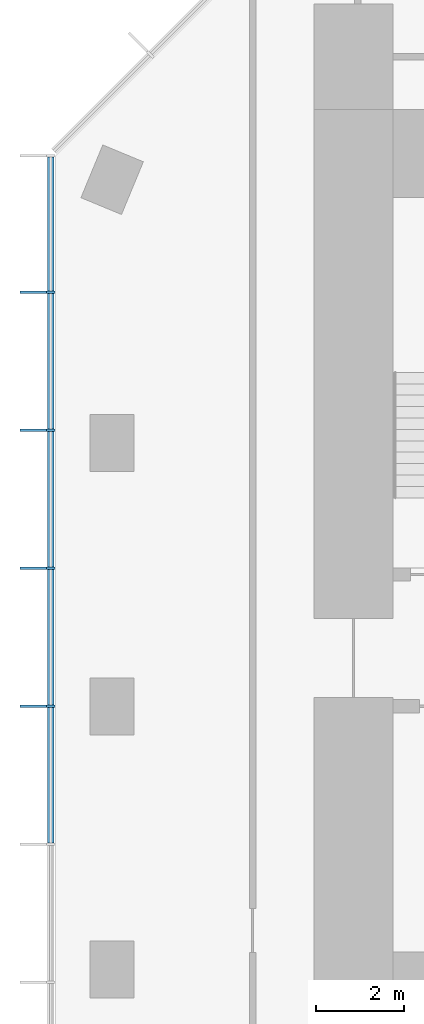
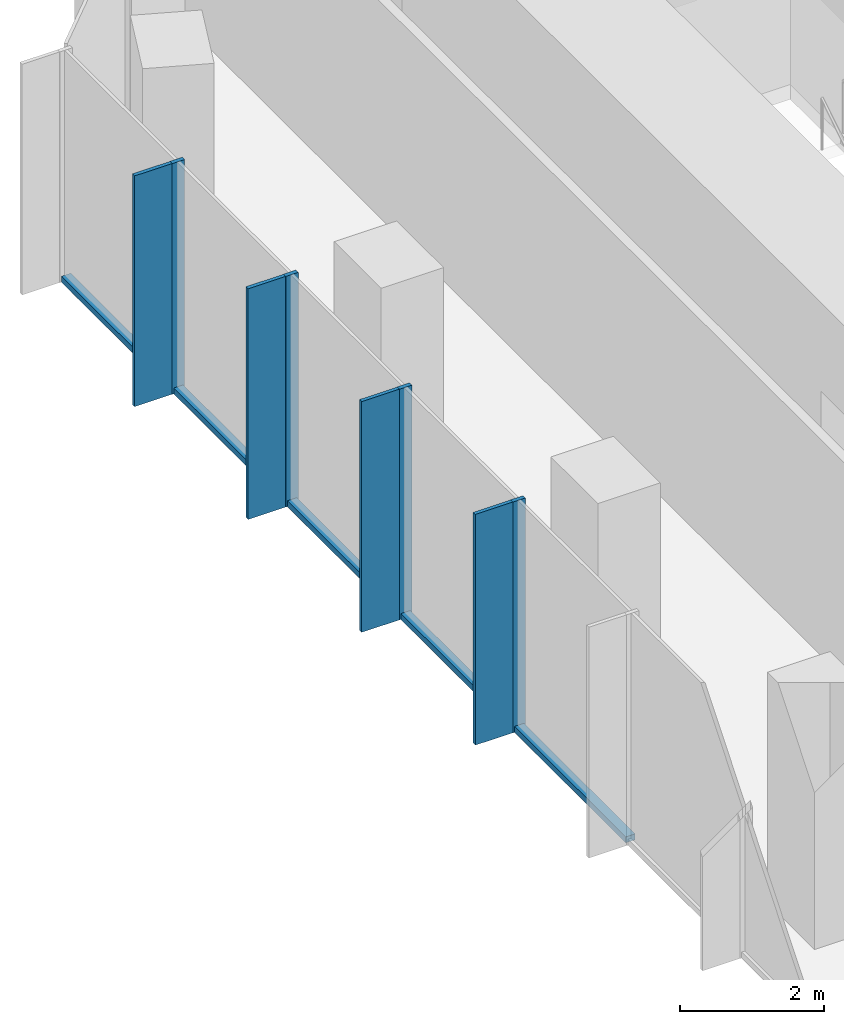
# One storey, part 3 of 11: 13 members, 1 element without a shape of its own.
"""IFC4 building model written with IfcOpenShell, lengths in metres."""

from ifc_helpers import new_model, si_unit, direction, frame, origin, origin_2d, place, context, subcontext, project, spatial, rectangle, extrude, material, layer, layer_set, material_profile, profile_set, type_object, element, aggregate, save


model = new_model("IFC4")

# Units and contexts
model_context = context("Model", 3, precision=1e-05, world=origin(), true_north=direction((0.0, 1.0)))
body_context = subcontext(model_context, "Body", "Model", "MODEL_VIEW")
ifc_project = project(units=[si_unit("LENGTHUNIT", "METRE"), si_unit("AREAUNIT", "SQUARE_METRE"), si_unit("VOLUMEUNIT", "CUBIC_METRE"), si_unit("PLANEANGLEUNIT", "RADIAN"), si_unit("MASSUNIT", "GRAM", prefix="KILO")], contexts=[model_context])

# Site, building, storey
site_placement = place(None, origin())
site = spatial("IfcSite", under=ifc_project, at=site_placement, CompositionType="ELEMENT")
building_placement = place(site_placement, origin())
building = spatial("IfcBuilding", under=site, at=building_placement, Name="Highveld Stack Headquarters", CompositionType="ELEMENT")
storey_placement = place(building_placement, frame((0.0, 0.0, 284.0)))
storey = spatial("IfcBuildingStorey", under=building, at=storey_placement, Name="L70", CompositionType="ELEMENT", Elevation=284.0)

# Curtain wall, members
ifc_material_1 = material(Name="Aluminium bronze anodised", Category="aluminium")
ifc_layer = layer(ifc_material_1, 0.199951171875)
ifc_layer_set = layer_set([ifc_layer], Name="Aluminium bronze anodised")
curtain_wall_type = type_object("IfcCurtainWallType", Name="CW5 EXECUTIVE UNITISED CURTAIN WALL", PredefinedType="NOTDEFINED", material=ifc_layer_set)
curtain_wall_placement = place(storey_placement, origin())
curtain_wall = element("IfcCurtainWall", 1, at=curtain_wall_placement, inside=storey, type_object=curtain_wall_type, Name="Curtain wall CW5 L70 W", PredefinedType="NOTDEFINED")
ifc_material_2 = material(Name="Aluminium bronze anodised", Category="aluminium")
ifc_material_profile_1 = material_profile(ifc_material_2, rectangle(XDim=0.60009765625, YDim=0.06005859375, at=origin_2d()), Name="FIN 600x60")
ifc_profile_set_1 = profile_set([ifc_material_profile_1], Name="Aluminium bronze anodised")
member_type_1 = type_object("IfcMemberType", Name="CW5 BRONZE FIN 600x60", PredefinedType="USERDEFINED", material=ifc_profile_set_1)
member_1_placement = place(storey_placement, frame((-13.800048828125, 9.434814453125, 0.0), z_axis=(0.0, 0.0, 1.0), x_axis=(1.0, 0.0, 0.0)))
member_1 = element("IfcMember", 2, at=member_1_placement, type_object=member_type_1, Name="CW5 fin L70 2", ObjectType="FIN", PredefinedType="USERDEFINED", context=body_context, shape_type="SweptSolid", body=[
    extrude(rectangle(XDim=0.60009765625, YDim=0.06005859375, at=origin_2d()), origin(), (0.0, 0.0, 1.0), 3.89990234375),
])
member_2_placement = place(storey_placement, frame((-13.800048828125, 6.2900390625, 0.0), z_axis=(0.0, 0.0, 1.0), x_axis=(1.0, 0.0, 0.0)))
member_2 = element("IfcMember", 3, at=member_2_placement, type_object=member_type_1, Name="CW5 fin L70 3", ObjectType="FIN", PredefinedType="USERDEFINED", context=body_context, shape_type="SweptSolid", body=[
    extrude(rectangle(XDim=0.60009765625, YDim=0.06005859375, at=origin_2d()), origin(), (0.0, 0.0, 1.0), 3.89990234375),
])
member_3_placement = place(storey_placement, frame((-13.800048828125, 3.14501953125, 0.0), z_axis=(0.0, 0.0, 1.0), x_axis=(1.0, 0.0, 0.0)))
member_3 = element("IfcMember", 4, at=member_3_placement, type_object=member_type_1, Name="CW5 fin L70 4", ObjectType="FIN", PredefinedType="USERDEFINED", context=body_context, shape_type="SweptSolid", body=[
    extrude(rectangle(XDim=0.60009765625, YDim=0.06005859375, at=origin_2d()), origin(), (0.0, 0.0, 1.0), 3.89990234375),
])
member_4_placement = place(storey_placement, frame((-13.800048828125, 0.0, 0.0), z_axis=(0.0, 0.0, 1.0), x_axis=(1.0, 0.0, 0.0)))
member_4 = element("IfcMember", 5, at=member_4_placement, type_object=member_type_1, Name="CW5 fin L70 5", ObjectType="FIN", PredefinedType="USERDEFINED", context=body_context, shape_type="SweptSolid", body=[
    extrude(rectangle(XDim=0.60009765625, YDim=0.06005859375, at=origin_2d()), origin(), (0.0, 0.0, 1.0), 3.89990234375),
])
ifc_material_3 = material(Name="Aluminium bronze anodised", Category="aluminium")
ifc_material_profile_2 = material_profile(ifc_material_3, rectangle(XDim=0.199951171875, YDim=0.06494140625, at=origin_2d()), Name="CW5 MULLION 65x200")
ifc_profile_set_2 = profile_set([ifc_material_profile_2], Name="Aluminium bronze anodised")
member_type_2 = type_object("IfcMemberType", Name="CW5 MULLION 65x200", PredefinedType="MULLION", material=ifc_profile_set_2)
member_5_placement = place(storey_placement, frame((-13.39990234375, 9.434814453125, 0.0), z_axis=(0.0, 0.0, 1.0), x_axis=(1.0, 0.0, 0.0)))
member_5 = element("IfcMember", 6, at=member_5_placement, type_object=member_type_2, Name="CW5 mullion L70 2", PredefinedType="MULLION", context=body_context, shape_type="SweptSolid", body=[
    extrude(rectangle(XDim=0.199951171875, YDim=0.06494140625, at=origin_2d()), origin(), (0.0, 0.0, 1.0), 3.89990234375),
])
member_6_placement = place(storey_placement, frame((-13.39990234375, 6.2900390625, 0.0), z_axis=(0.0, 0.0, 1.0), x_axis=(1.0, 0.0, 0.0)))
member_6 = element("IfcMember", 7, at=member_6_placement, type_object=member_type_2, Name="CW5 mullion L70 3", PredefinedType="MULLION", context=body_context, shape_type="SweptSolid", body=[
    extrude(rectangle(XDim=0.199951171875, YDim=0.06494140625, at=origin_2d()), origin(), (0.0, 0.0, 1.0), 3.89990234375),
])
member_7_placement = place(storey_placement, frame((-13.39990234375, 3.14501953125, 0.0), z_axis=(0.0, 0.0, 1.0), x_axis=(1.0, 0.0, 0.0)))
member_7 = element("IfcMember", 8, at=member_7_placement, type_object=member_type_2, Name="CW5 mullion L70 4", PredefinedType="MULLION", context=body_context, shape_type="SweptSolid", body=[
    extrude(rectangle(XDim=0.199951171875, YDim=0.06494140625, at=origin_2d()), origin(), (0.0, 0.0, 1.0), 3.89990234375),
])
member_8_placement = place(storey_placement, frame((-13.39990234375, 0.0, 0.0), z_axis=(0.0, 0.0, 1.0), x_axis=(1.0, 0.0, 0.0)))
member_8 = element("IfcMember", 9, at=member_8_placement, type_object=member_type_2, Name="CW5 mullion L70 5", PredefinedType="MULLION", context=body_context, shape_type="SweptSolid", body=[
    extrude(rectangle(XDim=0.199951171875, YDim=0.06494140625, at=origin_2d()), origin(), (0.0, 0.0, 1.0), 3.89990234375),
])
ifc_material_4 = material(Name="Aluminium bronze anodised", Category="aluminium")
ifc_material_profile_3 = material_profile(ifc_material_4, rectangle(XDim=0.14990234375, YDim=0.10009765625, at=origin_2d()), Name="CW5 TRANSOM 150x100")
ifc_profile_set_3 = profile_set([ifc_material_profile_3], Name="Aluminium bronze anodised")
member_type_3 = type_object("IfcMemberType", Name="CW5 STACK TRANSOM 150x100", PredefinedType="USERDEFINED", material=ifc_profile_set_3)
member_9_placement = place(storey_placement, frame((-13.39990234375, 12.514892578125, 0.050048828125), z_axis=(0.0, -1.0, 0.0), x_axis=(1.0, 0.0, 0.0)))
member_9 = element("IfcMember", 10, at=member_9_placement, type_object=member_type_3, Name="CW5 transom L70 1.1", ObjectType="TRANSOM", PredefinedType="USERDEFINED", context=body_context, shape_type="SweptSolid", body=[
    extrude(rectangle(XDim=0.14990234375, YDim=0.10009765625, at=origin_2d()), origin(), (0.0, 0.0, 1.0), 3.047607421875),
])
member_10_placement = place(storey_placement, frame((-13.39990234375, 9.40234375, 0.050048828125), z_axis=(0.0, -1.0, 0.0), x_axis=(1.0, 0.0, 0.0)))
member_10 = element("IfcMember", 11, at=member_10_placement, type_object=member_type_3, Name="CW5 transom L70 2.1", ObjectType="TRANSOM", PredefinedType="USERDEFINED", context=body_context, shape_type="SweptSolid", body=[
    extrude(rectangle(XDim=0.14990234375, YDim=0.10009765625, at=origin_2d()), origin(), (0.0, 0.0, 1.0), 3.079833984375),
])
member_11_placement = place(storey_placement, frame((-13.39990234375, 6.257568359375, 0.050048828125), z_axis=(0.0, -1.0, 0.0), x_axis=(1.0, 0.0, 0.0)))
member_11 = element("IfcMember", 12, at=member_11_placement, type_object=member_type_3, Name="CW5 transom L70 3.1", ObjectType="TRANSOM", PredefinedType="USERDEFINED", context=body_context, shape_type="SweptSolid", body=[
    extrude(rectangle(XDim=0.14990234375, YDim=0.10009765625, at=origin_2d()), origin(), (0.0, 0.0, 1.0), 3.080078125),
])
member_12_placement = place(storey_placement, frame((-13.39990234375, 3.112548828125, 0.050048828125), z_axis=(0.0, -1.0, 0.0), x_axis=(1.0, 0.0, 0.0)))
member_12 = element("IfcMember", 13, at=member_12_placement, type_object=member_type_3, Name="CW5 transom L70 4.1", ObjectType="TRANSOM", PredefinedType="USERDEFINED", context=body_context, shape_type="SweptSolid", body=[
    extrude(rectangle(XDim=0.14990234375, YDim=0.10009765625, at=origin_2d()), origin(), (0.0, 0.0, 1.0), 3.080078125),
])
member_13_placement = place(storey_placement, frame((-13.39990234375, -0.032470703125, 0.050048828125), z_axis=(0.0, -1.0, 0.0), x_axis=(1.0, 0.0, 0.0)))
member_13 = element("IfcMember", 14, at=member_13_placement, type_object=member_type_3, Name="CW5 transom L70 5.1", ObjectType="TRANSOM", PredefinedType="USERDEFINED", context=body_context, shape_type="SweptSolid", body=[
    extrude(rectangle(XDim=0.14990234375, YDim=0.10009765625, at=origin_2d()), origin(), (0.0, 0.0, 1.0), 3.080078125),
])
aggregate(curtain_wall, [member_5, member_1, member_6, member_2, member_7, member_3, member_8, member_4, member_9, member_10, member_11, member_12, member_13])

save(model, "model.ifc")
